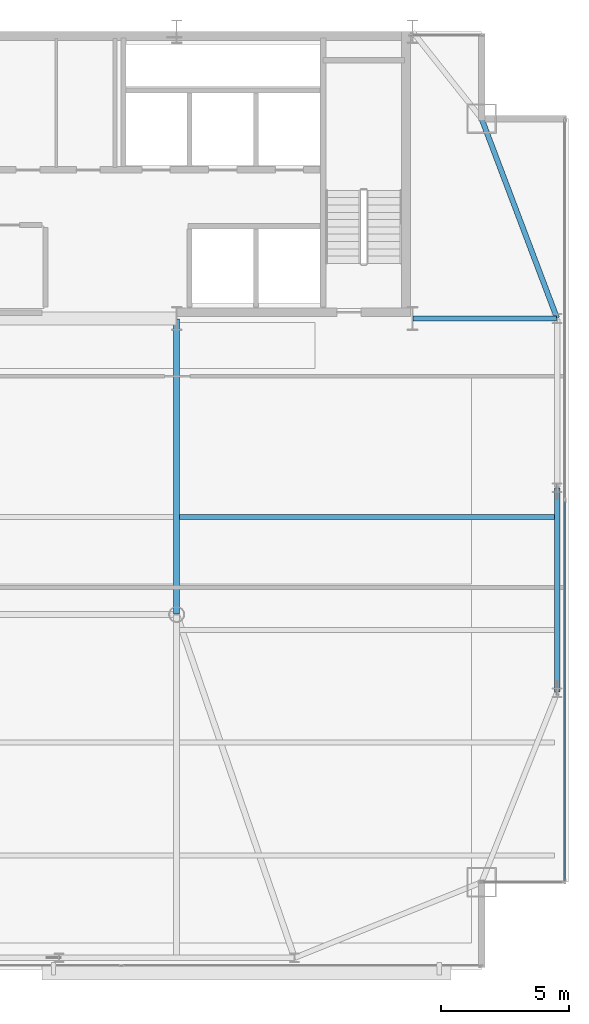
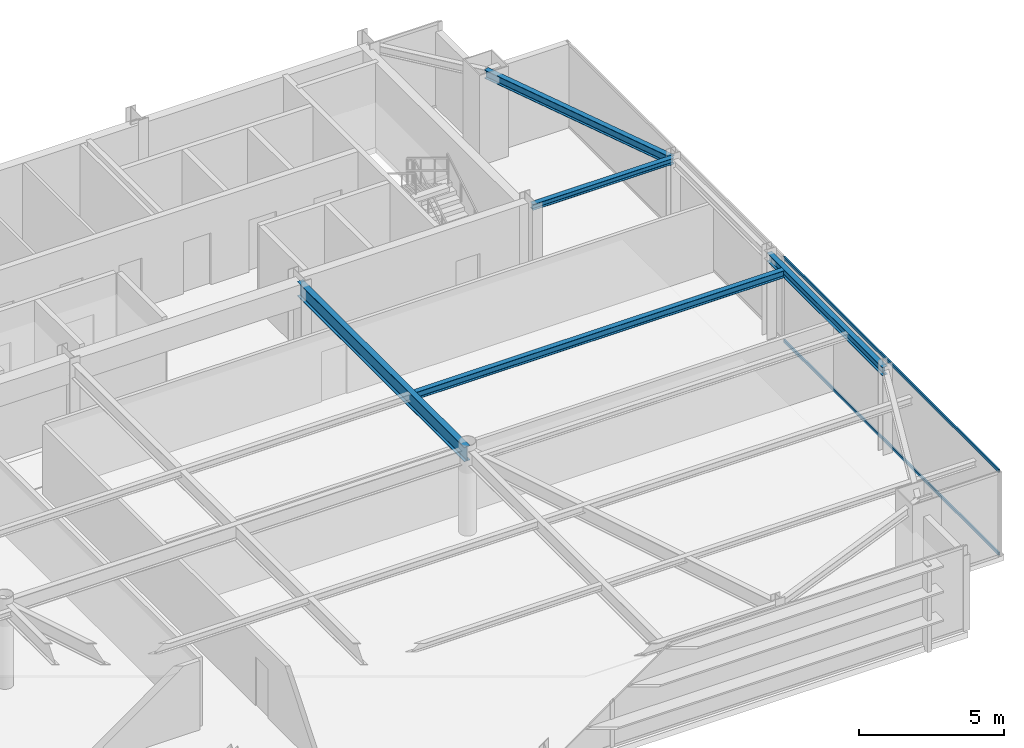
# One storey, part 14 of 25: 5 beams, 2 members, 1 element without a shape of its own.
"""IFC4 building model written with IfcOpenShell, lengths in metres."""

from ifc_helpers import new_model, si_unit, direction, frame, origin, origin_2d, place, context, subcontext, project, spatial, hollow_rectangle, i_section, extrude, source, transform, mapped, material, layer, layer_set, material_profile, profile_set, type_object, type_shapes, element, aggregate, save


model = new_model("IFC4")

# Units and contexts
model_context = context("Model", 3, precision=1e-05, world=origin(), true_north=direction((0.0, 1.0)))
body_context = subcontext(model_context, "Body", "Model", "MODEL_VIEW")
ifc_project = project(units=[si_unit("LENGTHUNIT", "METRE"), si_unit("AREAUNIT", "SQUARE_METRE"), si_unit("VOLUMEUNIT", "CUBIC_METRE"), si_unit("PLANEANGLEUNIT", "RADIAN"), si_unit("MASSUNIT", "GRAM", prefix="KILO")], contexts=[model_context])

# Site, building, storey
site_placement = place(None, origin())
site = spatial("IfcSite", under=ifc_project, at=site_placement, CompositionType="ELEMENT")
building_placement = place(site_placement, origin())
building = spatial("IfcBuilding", under=site, at=building_placement, Name="Varnel Quay Broadcast Tower", CompositionType="ELEMENT")
storey_placement = place(building_placement, frame((0.0, 0.0, 250.800048828125)))
storey = spatial("IfcBuildingStorey", under=building, at=storey_placement, Name="L62", CompositionType="ELEMENT", Elevation=250.800048828125)

# Beams
ifc_material_1 = material(Name="Structural Steel CSA G40.21 350W", Category="steel")
ifc_material_profile_1 = material_profile(ifc_material_1, i_section(OverallWidth=0.205078125, OverallDepth=0.35400390625, WebThickness=0.009521484375, FlangeThickness=0.016845703125, FilletRadius=0.012939453125, at=origin_2d()), Name="W360X79")
ifc_profile_set_1 = profile_set([ifc_material_profile_1], Name="Structural Steel CSA G40.21 350W")
beam_type_1 = type_object("IfcBeamType", Name="Beam_W360X79", PredefinedType="SPANDREL", material=ifc_profile_set_1)
shared_shape_1 = source(origin(), body_context, "Body", "SweptSolid", [
    extrude(i_section(OverallWidth=0.205078125, OverallDepth=0.35400390625, WebThickness=0.009521484375, FlangeThickness=0.016845703125, FilletRadius=0.012939453125, at=origin_2d()), origin(), (0.0, 0.0, 1.0), 7.9599609375),
])
beam_1_placement = place(storey_placement, frame((58.050048828125, 21.02001953125, 3.373046875), z_axis=(0.0, 1.0, 0.0), x_axis=(-1.0, 0.0, 0.0)))
element("IfcBeam", 1, at=beam_1_placement, inside=storey, type_object=beam_type_1, Name="L62 East Spandrel TC-E1-TC-E2", PredefinedType="SPANDREL", context=body_context, shape_type="MappedRepresentation", body=[
    mapped(shared_shape_1, transform((0.0, 0.0, 0.0), x_axis=(1.0, 0.0, 0.0), y_axis=(0.0, 1.0, 0.0), z_axis=(0.0, 0.0, 1.0), scale=1.0)),
])
shared_shape_2 = source(origin(), body_context, "Body", "SweptSolid", [
    extrude(i_section(OverallWidth=0.205078125, OverallDepth=0.35400390625, WebThickness=0.009521484375, FlangeThickness=0.016845703125, FilletRadius=0.012939453125, at=origin_2d()), origin(), (0.0, 0.0, 1.0), 8.29931640625),
])
type_shapes(beam_type_1, [shared_shape_1, shared_shape_2])
beam_2_placement = place(storey_placement, frame((58.04296875, 35.61865234375, 3.373046875), z_axis=(-0.353739782058, 0.935343876117, 0.0), x_axis=(-0.935343876117, -0.353739782058, 0.0)))
element("IfcBeam", 2, at=beam_2_placement, inside=storey, type_object=beam_type_1, Name="L62 East Spandrel TC-E3-MC-NE", PredefinedType="SPANDREL", context=body_context, shape_type="MappedRepresentation", body=[
    mapped(shared_shape_2, transform((0.0, 0.0, 0.0), x_axis=(1.0, 0.0, 0.0), y_axis=(0.0, 1.0, 0.0), z_axis=(0.0, 0.0, 1.0), scale=1.0)),
])
ifc_material_profile_2 = material_profile(ifc_material_1, i_section(OverallWidth=0.22998046875, OverallDepth=0.616943359375, WebThickness=0.01318359375, FlangeThickness=0.022216796875, FilletRadius=0.01611328125, at=origin_2d()), Name="W610X140")
ifc_profile_set_2 = profile_set([ifc_material_profile_2], Name="Structural Steel CSA G40.21 350W")
beam_type_2 = type_object("IfcBeamType", Name="Girder_W610X140", PredefinedType="BEAM", material=ifc_profile_set_2)
shared_shape_3 = source(origin(), body_context, "Body", "SweptSolid", [
    extrude(i_section(OverallWidth=0.22998046875, OverallDepth=0.616943359375, WebThickness=0.01318359375, FlangeThickness=0.022216796875, FilletRadius=0.01611328125, at=origin_2d()), origin(), (0.0, 0.0, 1.0), 11.510009765625),
])
type_shapes(beam_type_2, [shared_shape_3])
beam_3_placement = place(storey_placement, frame((43.199951171875, 24.070068359375, 3.241455078125), z_axis=(0.0, 1.0, 0.0), x_axis=(-1.0, 0.0, 0.0)))
element("IfcBeam", 3, at=beam_3_placement, inside=storey, type_object=beam_type_2, Name="L62 Primary Girder IC-02-CC-S4", PredefinedType="BEAM", context=body_context, shape_type="MappedRepresentation", body=[
    mapped(shared_shape_3, transform((0.0, 0.0, 0.0), x_axis=(1.0, 0.0, 0.0), y_axis=(0.0, 1.0, 0.0), z_axis=(0.0, 0.0, 1.0), scale=1.0)),
])
ifc_material_profile_3 = material_profile(ifc_material_1, i_section(OverallWidth=0.201904296875, OverallDepth=0.2470703125, WebThickness=0.00732421875, FlangeThickness=0.010986328125, FilletRadius=0.010986328125, at=origin_2d()), Name="W250X49")
ifc_profile_set_3 = profile_set([ifc_material_profile_3], Name="Structural Steel CSA G40.21 350W")
beam_type_3 = type_object("IfcBeamType", Name="Beam_W250X49", PredefinedType="JOIST", material=ifc_profile_set_3)
shared_shape_4 = source(origin(), body_context, "Body", "SweptSolid", [
    extrude(i_section(OverallWidth=0.201904296875, OverallDepth=0.2470703125, WebThickness=0.00732421875, FlangeThickness=0.010986328125, FilletRadius=0.010986328125, at=origin_2d()), origin(), (0.0, 0.0, 1.0), 5.610107421875),
])
type_shapes(beam_type_3, [shared_shape_4])
beam_4_placement = place(storey_placement, frame((52.419921875, 35.60009765625, 3.426513671875), z_axis=(1.0, 0.0, 0.0), x_axis=(0.0, 1.0, 0.0)))
element("IfcBeam", 4, at=beam_4_placement, inside=storey, type_object=beam_type_3, Name="L62 East Core Tie Joist", PredefinedType="JOIST", context=body_context, shape_type="MappedRepresentation", body=[
    mapped(shared_shape_4, transform((0.0, 0.0, 0.0), x_axis=(1.0, 0.0, 0.0), y_axis=(0.0, 1.0, 0.0), z_axis=(0.0, 0.0, 1.0), scale=1.0)),
])
ifc_material_profile_4 = material_profile(ifc_material_1, i_section(OverallWidth=0.202880859375, OverallDepth=0.302978515625, WebThickness=0.007568359375, FlangeThickness=0.01318359375, FilletRadius=0.011962890625, at=origin_2d()), Name="W310X60")
ifc_profile_set_4 = profile_set([ifc_material_profile_4], Name="Structural Steel CSA G40.21 350W")
beam_type_4 = type_object("IfcBeamType", Name="Beam_W310X60", PredefinedType="JOIST", material=ifc_profile_set_4)
shared_shape_5 = source(origin(), body_context, "Body", "SweptSolid", [
    extrude(i_section(OverallWidth=0.202880859375, OverallDepth=0.302978515625, WebThickness=0.007568359375, FlangeThickness=0.01318359375, FilletRadius=0.011962890625, at=origin_2d()), origin(), (0.0, 0.0, 1.0), 14.642333984375),
])
type_shapes(beam_type_4, [shared_shape_5])
beam_5_placement = place(storey_placement, frame((43.31005859375, 27.85009765625, 3.3984375), z_axis=(1.0, 0.0, 0.0), x_axis=(0.0, 1.0, 0.0)))
element("IfcBeam", 5, at=beam_5_placement, inside=storey, type_object=beam_type_4, Name="L62 East Floor Joist 4", PredefinedType="JOIST", context=body_context, shape_type="MappedRepresentation", body=[
    mapped(shared_shape_5, transform((0.0, 0.0, 0.0), x_axis=(1.0, 0.0, 0.0), y_axis=(0.0, 1.0, 0.0), z_axis=(0.0, 0.0, 1.0), scale=1.0)),
])

# Curtain wall, members
ifc_material_2 = material(Name="Anodised Bronze Aluminium 6063-T6", Category="aluminium")
ifc_layer = layer(ifc_material_2, 0.18994140625, Name="Anodised Bronze Aluminium 6063-T6")
ifc_layer_set = layer_set([ifc_layer], Name="Anodised Bronze Aluminium 6063-T6")
curtain_wall_type = type_object("IfcCurtainWallType", Name="CW_UpperTower", PredefinedType="NOTDEFINED", material=ifc_layer_set)
curtain_wall_placement = place(storey_placement, origin())
curtain_wall = element("IfcCurtainWall", 6, at=curtain_wall_placement, inside=storey, type_object=curtain_wall_type, Name="L62 East Unitised Curtain Wall", PredefinedType="NOTDEFINED")
ifc_material_profile_5 = material_profile(ifc_material_2, hollow_rectangle(XDim=0.06005859375, YDim=0.125, WallThickness=0.0029296875, at=origin_2d()), Name="ALU60X125X3")
ifc_profile_set_5 = profile_set([ifc_material_profile_5], Name="Anodised Bronze Aluminium 6063-T6")
member_type = type_object("IfcMemberType", Name="Tran_CWS-03", PredefinedType="USERDEFINED", material=ifc_profile_set_5)
shared_shape_6 = source(origin(), body_context, "Body", "SweptSolid", [
    extrude(hollow_rectangle(XDim=0.06005859375, YDim=0.125, WallThickness=0.0029296875, at=origin_2d()), origin(), (0.0, 0.0, 1.0), 14.802490234375),
])
type_shapes(member_type, [shared_shape_6])
member_1_placement = place(storey_placement, frame((58.35009765625, 13.6650390625, 0.030029296875), z_axis=(0.0, 1.0, 0.0), x_axis=(-1.0, 0.0, 0.0)))
member_1 = element("IfcMember", 7, at=member_1_placement, type_object=member_type, Name="CWS-03 transom 1.1", ObjectType="TRANSOM", PredefinedType="USERDEFINED", context=body_context, shape_type="MappedRepresentation", body=[
    mapped(shared_shape_6, transform((0.0, 0.0, 0.0), x_axis=(1.0, 0.0, 0.0), y_axis=(0.0, 1.0, 0.0), z_axis=(0.0, 0.0, 1.0), scale=1.0)),
])
member_2_placement = place(storey_placement, frame((58.35009765625, 13.6650390625, 3.52001953125), z_axis=(0.0, 1.0, 0.0), x_axis=(-1.0, 0.0, 0.0)))
member_2 = element("IfcMember", 8, at=member_2_placement, type_object=member_type, Name="CWS-03 transom 1.2", ObjectType="TRANSOM", PredefinedType="USERDEFINED", context=body_context, shape_type="MappedRepresentation", body=[
    mapped(shared_shape_6, transform((0.0, 0.0, 0.0), x_axis=(1.0, 0.0, 0.0), y_axis=(0.0, 1.0, 0.0), z_axis=(0.0, 0.0, 1.0), scale=1.0)),
])
aggregate(curtain_wall, [member_1, member_2])

save(model, "model.ifc")
